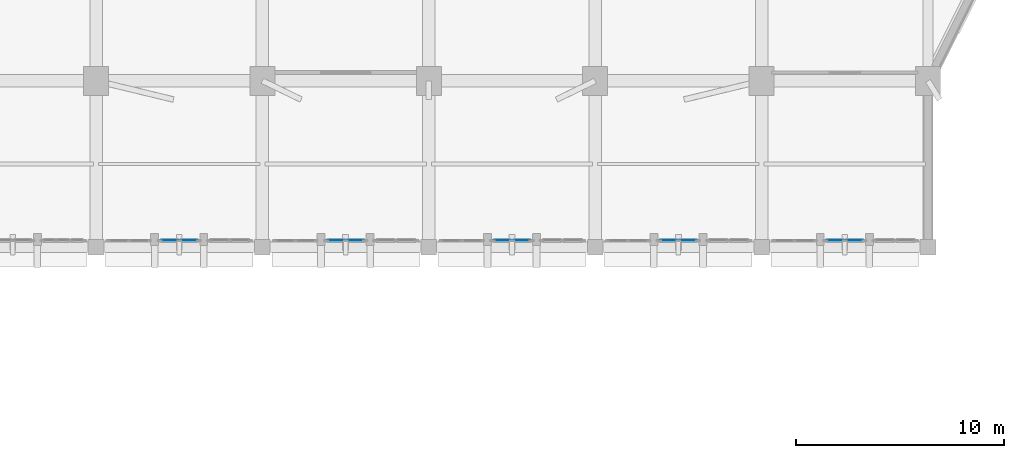
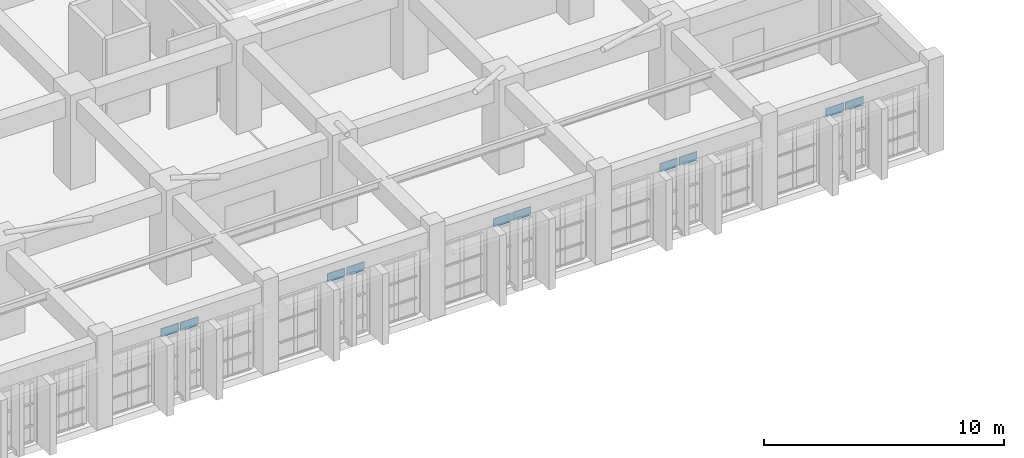
# One storey, part 123 of 155: 10 plates, 5 elements without a shape of their own.
"""IFC4 building model written with IfcOpenShell, lengths in metres."""

import ifcopenshell
import ifcopenshell.guid

model = None  # the IFC model being written
_history = None  # IfcOwnerHistory: only IFC2X3 demands one
_inside = {}  # id of a spatial element -> (the spatial element, [elements in it])
_under = {}  # id of a project, library or spatial element -> (it, [spatial elements below it])
_declared = {}  # id of a project -> (the project, [libraries it declares])
_typed = {}  # id of a type object -> (the type object, [elements of that type])
_made_of = {}  # id of a material, layer set ... -> (it, [elements and type objects made of it])


def new_model(schema):
    """Start an empty IFC model of exactly this schema.

    Asked for "IFC4X3", IfcOpenShell would pick the latest addendum, in which some entities
    have other attributes; the version numbers below select the first issue.
    IFC2X3 requires an IfcOwnerHistory on every rooted entity: one is made here for all.
    """
    global model, _history
    if schema == "IFC4X3":
        model = ifcopenshell.file(schema_version=(4, 3, 0, 0))
    else:
        model = ifcopenshell.file(schema=schema)
    _inside.clear()
    _under.clear()
    _declared.clear()
    _typed.clear()
    _made_of.clear()
    _history = None
    if model.schema == "IFC2X3":
        org = make("IfcOrganization", Name="unknown")
        user = make(
            "IfcPersonAndOrganization",
            ThePerson=make("IfcPerson", FamilyName="unknown"),
            TheOrganization=org,
        )
        app = make(
            "IfcApplication",
            ApplicationDeveloper=org,
            Version="unknown",
            ApplicationFullName="unknown",
            ApplicationIdentifier="unknown",
        )
        _history = make(
            "IfcOwnerHistory",
            OwningUser=user,
            OwningApplication=app,
            ChangeAction="ADDED",
            CreationDate=0,
        )
    return model


def make(cls, **values):
    """One entity of the class cls with the attributes given. An attribute that is None is left unset."""
    return model.create_entity(
        cls, **{name: value for name, value in values.items() if value is not None}
    )


def rooted(cls, **values):
    """An entity with a GlobalId (a new one), such as an element, a storey or a relation."""
    return make(cls, GlobalId=ifcopenshell.guid.new(), OwnerHistory=_history, **values)


def si_unit(unit_type, name, prefix=None):
    """IfcSIUnit, for example si_unit("LENGTHUNIT", "METRE", prefix="MILLI")."""
    return make("IfcSIUnit", UnitType=unit_type, Prefix=prefix, Name=name)


def assignment(units):
    """IfcUnitAssignment: the units of a project."""
    return None if units is None else make("IfcUnitAssignment", Units=units)


def point(xyz):
    """IfcCartesianPoint."""
    return None if xyz is None else make("IfcCartesianPoint", Coordinates=xyz)


def direction(xyz):
    """IfcDirection."""
    return None if xyz is None else make("IfcDirection", DirectionRatios=xyz)


def frame(location, z_axis=None, x_axis=None):
    """IfcAxis2Placement3D, a coordinate frame: its origin and axes. An axis left out is left unset."""
    return make(
        "IfcAxis2Placement3D",
        Location=point(location),
        Axis=direction(z_axis),
        RefDirection=direction(x_axis),
    )


def frame_2d(location, x_axis=None):
    """IfcAxis2Placement2D, a coordinate frame in the plane: its origin and x axis."""
    return make(
        "IfcAxis2Placement2D", Location=point(location), RefDirection=direction(x_axis)
    )


def origin():
    """The frame at (0, 0, 0) with its axes left unset."""
    return frame((0.0, 0.0, 0.0))


def origin_2d():
    """The frame at (0, 0) in the plane with its x axis left unset."""
    return frame_2d((0.0, 0.0))


def place(relative_to, where):
    """IfcLocalPlacement: puts the frame where relative to a parent placement (None: the world)."""
    return make(
        "IfcLocalPlacement", PlacementRelTo=relative_to, RelativePlacement=where
    )


def context(
    kind, dimensions, precision=None, world=None, true_north=None, identifier=None
):
    """IfcGeometricRepresentationContext, for example the 3D "Model" context."""
    return make(
        "IfcGeometricRepresentationContext",
        ContextIdentifier=identifier,
        ContextType=kind,
        CoordinateSpaceDimension=dimensions,
        Precision=precision,
        WorldCoordinateSystem=world,
        TrueNorth=true_north,
    )


def subcontext(parent, identifier, kind, view, scale=None):
    """IfcGeometricRepresentationSubContext, for example "Body" below "Model"."""
    return make(
        "IfcGeometricRepresentationSubContext",
        ContextIdentifier=identifier,
        ContextType=kind,
        ParentContext=parent,
        TargetScale=scale,
        TargetView=view,
    )


def project(units=None, contexts=None):
    """IfcProject with its units and contexts."""
    return rooted(
        "IfcProject",
        Name="project",
        RepresentationContexts=contexts,
        UnitsInContext=assignment(units),
    )


def spatial(cls, under=None, at=None, **own):
    """A site, building, storey or space (cls), placed at a placement, below another one or the project."""
    s = rooted(cls, ObjectPlacement=at, **own)
    if under is not None:
        _under.setdefault(under.id(), (under, []))[1].append(s)
    return s


def profile(cls, at=None, kind="AREA", **sizes):
    """A parametric profile (cls). Its sizes go by their IFC names, for example OverallWidth=200.0."""
    return make(cls, ProfileType=kind, Position=at, **sizes)


def rectangle(**sizes):
    """IfcRectangleProfileDef."""
    return profile("IfcRectangleProfileDef", **sizes)


def extrude(swept, where, along, depth):
    """IfcExtrudedAreaSolid: the profile swept, set in the frame where, extruded along a direction by depth."""
    return make(
        "IfcExtrudedAreaSolid",
        SweptArea=swept,
        Position=where,
        ExtrudedDirection=direction(along),
        Depth=depth,
    )


def shape(context_of_items, identifier, shape_type, items):
    """IfcShapeRepresentation: the items that make up one representation, for example the "Body"."""
    return make(
        "IfcShapeRepresentation",
        ContextOfItems=context_of_items,
        RepresentationIdentifier=identifier,
        RepresentationType=shape_type,
        Items=items,
    )


def material(Name=None, Category=None):
    """IfcMaterial."""
    return make("IfcMaterial", Name=Name, Category=Category)


def layer(
    of_material, thickness, ventilated=None, Name=None, Category=None, Priority=None
):
    """IfcMaterialLayer: one layer of a wall or slab, of a material (None: an air gap)."""
    return make(
        "IfcMaterialLayer",
        Material=of_material,
        LayerThickness=thickness,
        IsVentilated=ventilated,
        Name=Name,
        Category=Category,
        Priority=Priority,
    )


def layer_set(layers, Name=None):
    """IfcMaterialLayerSet."""
    return make("IfcMaterialLayerSet", MaterialLayers=layers, LayerSetName=Name)


def made_of(thing, what):
    """Note that an element or type object is made of a material, layer set ...; save() writes the relation."""
    if what is not None:
        _made_of.setdefault(what.id(), (what, []))[1].append(thing)
    return thing


def type_object(cls, material=None, **own):
    """A type object (cls), such as IfcWallType, which elements share."""
    return made_of(rooted(cls, **own), material)


def element(
    cls,
    number,
    at=None,
    inside=None,
    cuts=None,
    type_object=None,
    material=None,
    context=None,
    identifier="Body",
    shape_type=None,
    held_by="IfcProductDefinitionShape",
    body=None,
    shapes=None,
    **own,
):
    """One element of the class cls, such as IfcWall. Its Tag is "e" and its number.

    at: its placement. inside: the storey or other place that contains it. cuts: it is an
    opening in that element (IfcRelVoidsElement). A single representation is given by context,
    identifier, shape_type and body (its items); several are given by shapes. held_by: the class
    of the entity that holds the representations. save() writes the other relations.
    """
    e = rooted(cls, Tag="e%d" % number, ObjectPlacement=at, **own)
    if body is not None:
        shapes = [shape(context, identifier, shape_type, body)]
    if shapes is not None:
        e.Representation = make(held_by, Representations=shapes)
    if inside is not None:
        _inside.setdefault(inside.id(), (inside, []))[1].append(e)
    if cuts is not None:
        rooted(
            "IfcRelVoidsElement", RelatingBuildingElement=cuts, RelatedOpeningElement=e
        )
    if type_object is not None:
        _typed.setdefault(type_object.id(), (type_object, []))[1].append(e)
    return made_of(e, material)


def aggregate(whole, parts):
    """IfcRelAggregates: a whole, such as a stair, and the parts it consists of."""
    return rooted("IfcRelAggregates", RelatingObject=whole, RelatedObjects=parts)


def save(model, path):
    """Write the relations noted so far, then the file.

    IfcRelAggregates (storeys below a building ...), IfcRelContainedInSpatialStructure (elements
    in a storey), IfcRelDefinesByType, IfcRelAssociatesMaterial and IfcRelDeclares: one each for
    every whole, place, type object, material and project.
    """
    for whole, parts in _under.values():
        aggregate(whole, parts)
    for where, things in _inside.values():
        rooted(
            "IfcRelContainedInSpatialStructure",
            RelatedElements=things,
            RelatingStructure=where,
        )
    for kind, things in _typed.values():
        rooted("IfcRelDefinesByType", RelatedObjects=things, RelatingType=kind)
    for what, things in _made_of.values():
        rooted("IfcRelAssociatesMaterial", RelatedObjects=things, RelatingMaterial=what)
    for by, libraries in _declared.values():
        rooted("IfcRelDeclares", RelatingContext=by, RelatedDefinitions=libraries)
    model.write(path)


model = new_model("IFC4")

# Units and contexts
model_context = context("Model", 3, precision=1e-05, world=origin(), true_north=direction((0.0, 1.0)))
body_context = subcontext(model_context, "Body", "Model", "MODEL_VIEW")
ifc_project = project(units=[si_unit("LENGTHUNIT", "METRE"), si_unit("AREAUNIT", "SQUARE_METRE"), si_unit("VOLUMEUNIT", "CUBIC_METRE"), si_unit("PLANEANGLEUNIT", "RADIAN"), si_unit("MASSUNIT", "GRAM", prefix="KILO")], contexts=[model_context])

# Site, building, storey
site_placement = place(None, origin())
site = spatial("IfcSite", under=ifc_project, at=site_placement, CompositionType="ELEMENT")
building_placement = place(site_placement, origin())
building = spatial("IfcBuilding", under=site, at=building_placement, Name="Tazarka Park Arena", CompositionType="ELEMENT")
storey_placement = place(building_placement, frame((0.0, 0.0, 5.39990234375)))
storey = spatial("IfcBuildingStorey", under=building, at=storey_placement, Name="L01", CompositionType="ELEMENT", Elevation=5.39990234375)

# Curtain wall, plates
ifc_material_1 = material(Name="Aluminium and low-e glass", Category="aluminium")
ifc_layer_1 = layer(ifc_material_1, 0.179931640625, Name="Aluminium and low-e glass")
ifc_layer_set_1 = layer_set([ifc_layer_1], Name="Aluminium and low-e glass")
curtain_wall_type_1 = type_object("IfcCurtainWallType", Name="CW-11", PredefinedType="NOTDEFINED", material=ifc_layer_set_1)
curtain_wall_1_placement = place(storey_placement, origin())
curtain_wall_1 = element("IfcCurtainWall", 1, at=curtain_wall_1_placement, inside=storey, type_object=curtain_wall_type_1, Name="Curtain Wall CWA-L01-011", PredefinedType="NOTDEFINED")
ifc_material_2 = material(Name="Insulated aluminium spandrel panel", Category="aluminium")
ifc_layer_2 = layer(ifc_material_2, 0.035888671875, Name="Insulated aluminium spandrel panel")
ifc_layer_set_2 = layer_set([ifc_layer_2], Name="Insulated aluminium spandrel panel")
plate_type = type_object("IfcPlateType", Name="CWP-03", PredefinedType="CURTAIN_PANEL", material=ifc_layer_set_2)
plate_1_placement = place(storey_placement, frame((76.467041015625, 8.320068359375, 3.087646484375), z_axis=(0.0, 0.0, 1.0), x_axis=(-1.0, 0.0, 0.0)))
plate_1 = element("IfcPlate", 2, at=plate_1_placement, type_object=plate_type, Name="CW-11 panel 1.4", PredefinedType="CURTAIN_PANEL", context=body_context, shape_type="SweptSolid", body=[
    extrude(rectangle(XDim=0.859130859375, YDim=0.035888671875, at=origin_2d()), origin(), (0.0, 0.0, 1.0), 0.4375),
])
plate_2_placement = place(storey_placement, frame((75.532958984375, 8.320068359375, 3.087646484375), z_axis=(0.0, 0.0, 1.0), x_axis=(-1.0, 0.0, 0.0)))
plate_2 = element("IfcPlate", 3, at=plate_2_placement, type_object=plate_type, Name="CW-11 panel 2.4", PredefinedType="CURTAIN_PANEL", context=body_context, shape_type="SweptSolid", body=[
    extrude(rectangle(XDim=0.859130859375, YDim=0.035888671875, at=origin_2d()), origin(), (0.0, 0.0, 1.0), 0.4375),
])
aggregate(curtain_wall_1, [plate_1, plate_2])

ifc_material_3 = material(Name="Aluminium and low-e glass", Category="aluminium")
ifc_layer_3 = layer(ifc_material_3, 0.179931640625, Name="Aluminium and low-e glass")
ifc_layer_set_3 = layer_set([ifc_layer_3], Name="Aluminium and low-e glass")
curtain_wall_type_2 = type_object("IfcCurtainWallType", Name="CW-14", PredefinedType="NOTDEFINED", material=ifc_layer_set_3)
curtain_wall_2_placement = place(storey_placement, origin())
curtain_wall_2 = element("IfcCurtainWall", 4, at=curtain_wall_2_placement, inside=storey, type_object=curtain_wall_type_2, Name="Curtain Wall CWA-L01-014", PredefinedType="NOTDEFINED")
plate_3_placement = place(storey_placement, frame((84.467041015625, 8.320068359375, 3.087646484375), z_axis=(0.0, 0.0, 1.0), x_axis=(-1.0, 0.0, 0.0)))
plate_3 = element("IfcPlate", 5, at=plate_3_placement, type_object=plate_type, Name="CW-14 panel 1.4", PredefinedType="CURTAIN_PANEL", context=body_context, shape_type="SweptSolid", body=[
    extrude(rectangle(XDim=0.859130859375, YDim=0.035888671875, at=origin_2d()), origin(), (0.0, 0.0, 1.0), 0.4375),
])
plate_4_placement = place(storey_placement, frame((83.532958984375, 8.320068359375, 3.087646484375), z_axis=(0.0, 0.0, 1.0), x_axis=(-1.0, 0.0, 0.0)))
plate_4 = element("IfcPlate", 6, at=plate_4_placement, type_object=plate_type, Name="CW-14 panel 2.4", PredefinedType="CURTAIN_PANEL", context=body_context, shape_type="SweptSolid", body=[
    extrude(rectangle(XDim=0.859130859375, YDim=0.035888671875, at=origin_2d()), origin(), (0.0, 0.0, 1.0), 0.4375),
])
aggregate(curtain_wall_2, [plate_3, plate_4])

ifc_material_4 = material(Name="Aluminium and low-e glass", Category="aluminium")
ifc_layer_4 = layer(ifc_material_4, 0.179931640625, Name="Aluminium and low-e glass")
ifc_layer_set_4 = layer_set([ifc_layer_4], Name="Aluminium and low-e glass")
curtain_wall_type_3 = type_object("IfcCurtainWallType", Name="CW-17", PredefinedType="NOTDEFINED", material=ifc_layer_set_4)
curtain_wall_3_placement = place(storey_placement, origin())
curtain_wall_3 = element("IfcCurtainWall", 7, at=curtain_wall_3_placement, inside=storey, type_object=curtain_wall_type_3, Name="Curtain Wall CWA-L01-017", PredefinedType="NOTDEFINED")
plate_5_placement = place(storey_placement, frame((92.467041015625, 8.320068359375, 3.087646484375), z_axis=(0.0, 0.0, 1.0), x_axis=(-1.0, 0.0, 0.0)))
plate_5 = element("IfcPlate", 8, at=plate_5_placement, type_object=plate_type, Name="CW-17 panel 1.4", PredefinedType="CURTAIN_PANEL", context=body_context, shape_type="SweptSolid", body=[
    extrude(rectangle(XDim=0.859130859375, YDim=0.035888671875, at=origin_2d()), origin(), (0.0, 0.0, 1.0), 0.4375),
])
plate_6_placement = place(storey_placement, frame((91.532958984375, 8.320068359375, 3.087646484375), z_axis=(0.0, 0.0, 1.0), x_axis=(-1.0, 0.0, 0.0)))
plate_6 = element("IfcPlate", 9, at=plate_6_placement, type_object=plate_type, Name="CW-17 panel 2.4", PredefinedType="CURTAIN_PANEL", context=body_context, shape_type="SweptSolid", body=[
    extrude(rectangle(XDim=0.859130859375, YDim=0.035888671875, at=origin_2d()), origin(), (0.0, 0.0, 1.0), 0.4375),
])
aggregate(curtain_wall_3, [plate_5, plate_6])

ifc_material_5 = material(Name="Aluminium and low-e glass", Category="aluminium")
ifc_layer_5 = layer(ifc_material_5, 0.179931640625, Name="Aluminium and low-e glass")
ifc_layer_set_5 = layer_set([ifc_layer_5], Name="Aluminium and low-e glass")
curtain_wall_type_4 = type_object("IfcCurtainWallType", Name="CW-20", PredefinedType="NOTDEFINED", material=ifc_layer_set_5)
curtain_wall_4_placement = place(storey_placement, origin())
curtain_wall_4 = element("IfcCurtainWall", 10, at=curtain_wall_4_placement, inside=storey, type_object=curtain_wall_type_4, Name="Curtain Wall CWA-L01-020", PredefinedType="NOTDEFINED")
plate_7_placement = place(storey_placement, frame((100.467041015625, 8.320068359375, 3.087646484375), z_axis=(0.0, 0.0, 1.0), x_axis=(-1.0, 0.0, 0.0)))
plate_7 = element("IfcPlate", 11, at=plate_7_placement, type_object=plate_type, Name="CW-20 panel 1.4", PredefinedType="CURTAIN_PANEL", context=body_context, shape_type="SweptSolid", body=[
    extrude(rectangle(XDim=0.859130859375, YDim=0.035888671875, at=origin_2d()), origin(), (0.0, 0.0, 1.0), 0.4375),
])
plate_8_placement = place(storey_placement, frame((99.532958984375, 8.320068359375, 3.087646484375), z_axis=(0.0, 0.0, 1.0), x_axis=(-1.0, 0.0, 0.0)))
plate_8 = element("IfcPlate", 12, at=plate_8_placement, type_object=plate_type, Name="CW-20 panel 2.4", PredefinedType="CURTAIN_PANEL", context=body_context, shape_type="SweptSolid", body=[
    extrude(rectangle(XDim=0.859130859375, YDim=0.035888671875, at=origin_2d()), origin(), (0.0, 0.0, 1.0), 0.4375),
])
aggregate(curtain_wall_4, [plate_7, plate_8])

ifc_material_6 = material(Name="Aluminium and low-e glass", Category="aluminium")
ifc_layer_6 = layer(ifc_material_6, 0.179931640625, Name="Aluminium and low-e glass")
ifc_layer_set_6 = layer_set([ifc_layer_6], Name="Aluminium and low-e glass")
curtain_wall_type_5 = type_object("IfcCurtainWallType", Name="CW-23", PredefinedType="NOTDEFINED", material=ifc_layer_set_6)
curtain_wall_5_placement = place(storey_placement, origin())
curtain_wall_5 = element("IfcCurtainWall", 13, at=curtain_wall_5_placement, inside=storey, type_object=curtain_wall_type_5, Name="Curtain Wall CWA-L01-023", PredefinedType="NOTDEFINED")
plate_9_placement = place(storey_placement, frame((108.467041015625, 8.320068359375, 3.087646484375), z_axis=(0.0, 0.0, 1.0), x_axis=(-1.0, 0.0, 0.0)))
plate_9 = element("IfcPlate", 14, at=plate_9_placement, type_object=plate_type, Name="CW-23 panel 1.4", PredefinedType="CURTAIN_PANEL", context=body_context, shape_type="SweptSolid", body=[
    extrude(rectangle(XDim=0.859130859375, YDim=0.035888671875, at=origin_2d()), origin(), (0.0, 0.0, 1.0), 0.4375),
])
plate_10_placement = place(storey_placement, frame((107.532958984375, 8.320068359375, 3.087646484375), z_axis=(0.0, 0.0, 1.0), x_axis=(-1.0, 0.0, 0.0)))
plate_10 = element("IfcPlate", 15, at=plate_10_placement, type_object=plate_type, Name="CW-23 panel 2.4", PredefinedType="CURTAIN_PANEL", context=body_context, shape_type="SweptSolid", body=[
    extrude(rectangle(XDim=0.859130859375, YDim=0.035888671875, at=origin_2d()), origin(), (0.0, 0.0, 1.0), 0.4375),
])
aggregate(curtain_wall_5, [plate_9, plate_10])

save(model, "model.ifc")
